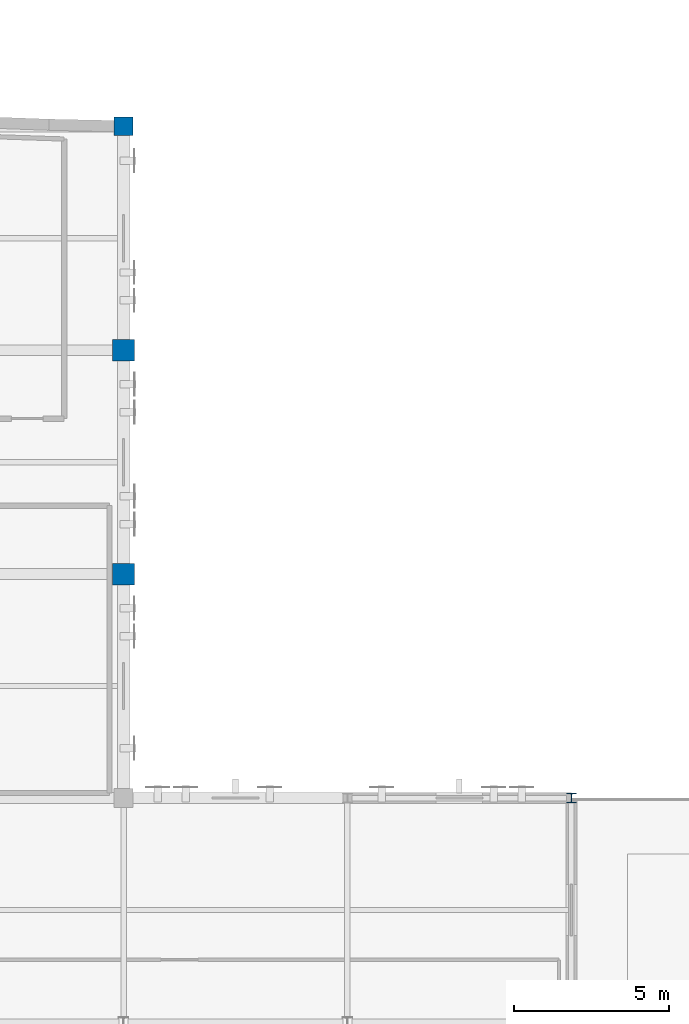
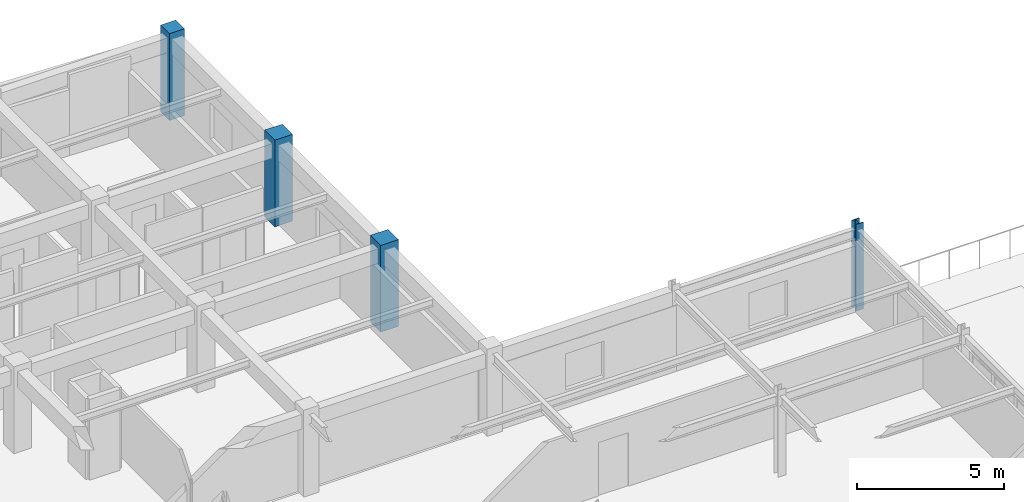
# One storey, part 7 of 73: 4 columns.
"""IFC4 building model written with IfcOpenShell, lengths in metres."""

from ifc_helpers import new_model, si_unit, direction, frame, origin, origin_2d, place, context, subcontext, project, spatial, rectangle, i_section, extrude, material, material_profile, profile_set, type_object, element, save


model = new_model("IFC4")

# Units and contexts
model_context = context("Model", 3, precision=1e-05, world=origin(), true_north=direction((0.0, 1.0)))
body_context = subcontext(model_context, "Body", "Model", "MODEL_VIEW")
ifc_project = project(units=[si_unit("LENGTHUNIT", "METRE"), si_unit("AREAUNIT", "SQUARE_METRE"), si_unit("VOLUMEUNIT", "CUBIC_METRE"), si_unit("PLANEANGLEUNIT", "RADIAN"), si_unit("MASSUNIT", "GRAM", prefix="KILO")], contexts=[model_context])

# Site, building, storey
site_placement = place(None, origin())
site = spatial("IfcSite", under=ifc_project, at=site_placement, CompositionType="ELEMENT")
building_placement = place(site_placement, origin())
building = spatial("IfcBuilding", under=site, at=building_placement, Name="Carrowvane Square Congress Hotel", CompositionType="ELEMENT")
storey_placement = place(building_placement, frame((0.0, 0.0, 19.199951171875)))
storey = spatial("IfcBuildingStorey", under=building, at=storey_placement, Name="L04", CompositionType="ELEMENT", Elevation=19.199951171875)

# Columns
ifc_material_1 = material(Name="Concrete C40/50", Category="concrete")
ifc_material_profile_1 = material_profile(ifc_material_1, rectangle(XDim=0.60009765625, YDim=0.60009765625, at=origin_2d()), Name="RC 600x600")
ifc_profile_set_1 = profile_set([ifc_material_profile_1], Name="Concrete C40/50")
column_type_1 = type_object("IfcColumnType", Name="COL-RC-600", PredefinedType="COLUMN", material=ifc_profile_set_1)
column_1_placement = place(storey_placement, frame((162.800048828125, 113.39990234375, 0.0), z_axis=(0.0, 0.0, 1.0), x_axis=(1.0, 0.0, 0.0)))
element("IfcColumn", 1, at=column_1_placement, inside=storey, type_object=column_type_1, Name="L04 column 22/R", PredefinedType="COLUMN", context=body_context, shape_type="SweptSolid", body=[
    extrude(rectangle(XDim=0.60009765625, YDim=0.60009765625, at=origin_2d()), origin(), (0.0, 0.0, 1.0), 3.60009765625),
])
ifc_material_2 = material(Name="Concrete C40/50", Category="concrete")
ifc_material_profile_2 = material_profile(ifc_material_2, rectangle(XDim=0.699951171875, YDim=0.699951171875, at=origin_2d()), Name="RC 700x700")
ifc_profile_set_2 = profile_set([ifc_material_profile_2], Name="Concrete C40/50")
column_type_2 = type_object("IfcColumnType", Name="COL-RC-700", PredefinedType="COLUMN", material=ifc_profile_set_2)
for number, where, z_axis, x_axis, name in (
    (2, (162.800048828125, 99.0, 0.0), (0.0, 0.0, 1.0), (1.0, 0.0, 0.0), "L04 column 22/P"),
    (3, (162.800048828125, 106.199951171875, 0.0), (0.0, 0.0, 1.0), (1.0, 0.0, 0.0), "L04 column 22/Q"),
):
    element("IfcColumn", number, at=place(storey_placement, frame(where, z_axis=z_axis, x_axis=x_axis)), inside=storey, type_object=column_type_2, Name=name, PredefinedType="COLUMN", context=body_context, shape_type="SweptSolid", body=[
        extrude(rectangle(XDim=0.699951171875, YDim=0.699951171875, at=origin_2d()), origin(), (0.0, 0.0, 1.0), 3.60009765625),
    ])
ifc_material_3 = material(Name="Steel S355", Category="steel")
ifc_material_profile_3 = material_profile(ifc_material_3, i_section(OverallWidth=0.300048828125, OverallDepth=0.300048828125, WebThickness=0.010986328125, FlangeThickness=0.01904296875, FilletRadius=0.027099609375, at=origin_2d()), Name="HEB 300")
ifc_profile_set_3 = profile_set([ifc_material_profile_3], Name="Steel S355")
column_type_3 = type_object("IfcColumnType", Name="COL-ST-HEB300", PredefinedType="COLUMN", material=ifc_profile_set_3)
column_2_placement = place(storey_placement, frame((177.199951171875, 91.800048828125, 0.0), z_axis=(0.0, 0.0, 1.0), x_axis=(1.0, 0.0, 0.0)))
element("IfcColumn", 4, at=column_2_placement, inside=storey, type_object=column_type_3, Name="L04 column 24/N", PredefinedType="COLUMN", context=body_context, shape_type="SweptSolid", body=[
    extrude(i_section(OverallWidth=0.300048828125, OverallDepth=0.300048828125, WebThickness=0.010986328125, FlangeThickness=0.01904296875, FilletRadius=0.027099609375, at=origin_2d()), origin(), (0.0, 0.0, 1.0), 3.60009765625),
])

save(model, "model.ifc")
